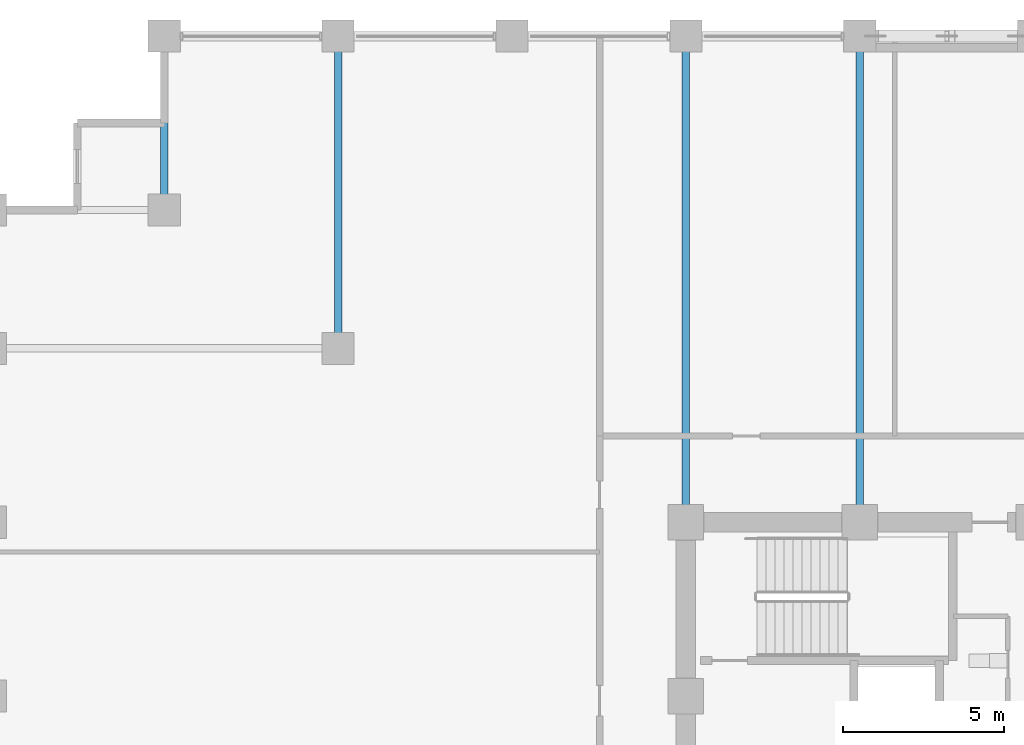
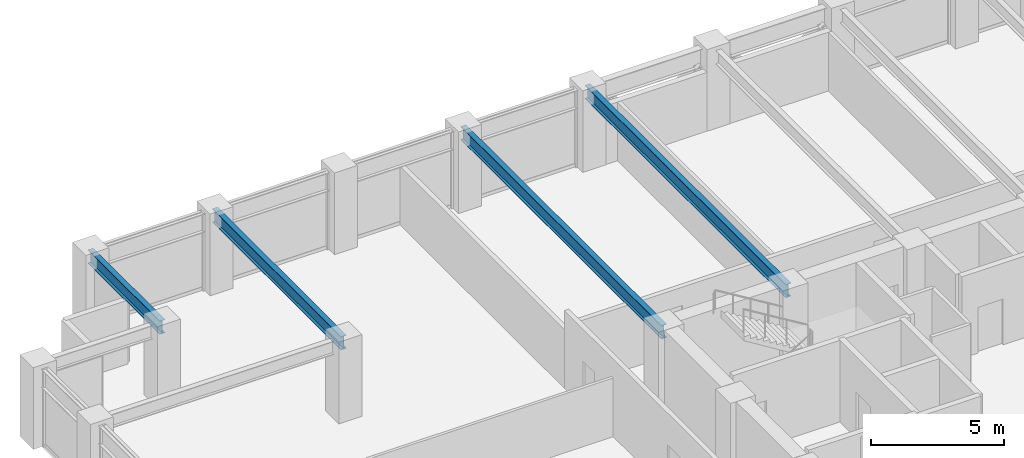
# One storey, part 11 of 23: 4 beams.
"""IFC4 building model written with IfcOpenShell, lengths in metres."""

from ifc_helpers import new_model, si_unit, direction, frame, origin, origin_2d, place, context, subcontext, project, spatial, i_section, extrude, material, material_profile, profile_set, type_object, element, save


model = new_model("IFC4")

# Units and contexts
model_context = context("Model", 3, precision=1e-05, world=origin(), true_north=direction((0.0, 1.0)))
body_context = subcontext(model_context, "Body", "Model", "MODEL_VIEW")
ifc_project = project(units=[si_unit("LENGTHUNIT", "METRE"), si_unit("AREAUNIT", "SQUARE_METRE"), si_unit("VOLUMEUNIT", "CUBIC_METRE"), si_unit("PLANEANGLEUNIT", "RADIAN"), si_unit("MASSUNIT", "GRAM", prefix="KILO")], contexts=[model_context])

# Site, building, storey
site_placement = place(None, origin())
site = spatial("IfcSite", under=ifc_project, at=site_placement, CompositionType="ELEMENT")
building_placement = place(site_placement, origin())
building = spatial("IfcBuilding", under=site, at=building_placement, Name="Surkhivell Harbour Commons", CompositionType="ELEMENT")
storey_placement = place(building_placement, frame((0.0, 0.0, 128.25)))
storey = spatial("IfcBuildingStorey", under=building, at=storey_placement, Name="L33", CompositionType="ELEMENT", Elevation=128.25)

# Beams
ifc_material = material(Name="Steel S355", Category="steel")
ifc_material_profile = material_profile(ifc_material, i_section(OverallWidth=0.22998046875, OverallDepth=0.616943359375, WebThickness=0.01318359375, FlangeThickness=0.022216796875, at=origin_2d()), Name="UB610x229x140")
ifc_profile_set = profile_set([ifc_material_profile], Name="Steel S355")
beam_type = type_object("IfcBeamType", Name="BM-GRD-610B", PredefinedType="BEAM", material=ifc_profile_set)
beam_1_placement = place(storey_placement, frame((-27.0, 20.5, 3.261474609375), z_axis=(0.0, 1.0, 0.0), x_axis=(-1.0, 0.0, 0.0)))
element("IfcBeam", 1, at=beam_1_placement, inside=storey, type_object=beam_type, Name="L33 Floor Girder (-27.0,20.5)", PredefinedType="BEAM", context=body_context, shape_type="SweptSolid", body=[
    extrude(i_section(OverallWidth=0.22998046875, OverallDepth=0.616943359375, WebThickness=0.01318359375, FlangeThickness=0.022216796875, at=origin_2d()), origin(), (0.0, 0.0, 1.0), 5.39990234375),
])
beam_2_placement = place(storey_placement, frame((-21.60009765625, 16.199951171875, 3.261474609375), z_axis=(0.0, 1.0, 0.0), x_axis=(-1.0, 0.0, 0.0)))
element("IfcBeam", 2, at=beam_2_placement, inside=storey, type_object=beam_type, Name="L33 Floor Girder (-21.6,16.2)", PredefinedType="BEAM", context=body_context, shape_type="SweptSolid", body=[
    extrude(i_section(OverallWidth=0.22998046875, OverallDepth=0.616943359375, WebThickness=0.01318359375, FlangeThickness=0.022216796875, at=origin_2d()), origin(), (0.0, 0.0, 1.0), 9.699951171875),
])
for number, where, z_axis, x_axis, name in (
    (3, (-10.800048828125, 10.800048828125, 3.261474609375), (0.0, 1.0, 0.0), (-1.0, 0.0, 0.0), "L33 Floor Girder (-10.8,10.8)"),
    (4, (-5.39990234375, 10.800048828125, 3.261474609375), (0.0, 1.0, 0.0), (-1.0, 0.0, 0.0), "L33 Floor Girder (-5.4,10.8)"),
):
    element("IfcBeam", number, at=place(storey_placement, frame(where, z_axis=z_axis, x_axis=x_axis)), inside=storey, type_object=beam_type, Name=name, PredefinedType="BEAM", context=body_context, shape_type="SweptSolid", body=[
        extrude(i_section(OverallWidth=0.22998046875, OverallDepth=0.616943359375, WebThickness=0.01318359375, FlangeThickness=0.022216796875, at=origin_2d()), origin(), (0.0, 0.0, 1.0), 15.099853515625),
    ])

save(model, "model.ifc")
